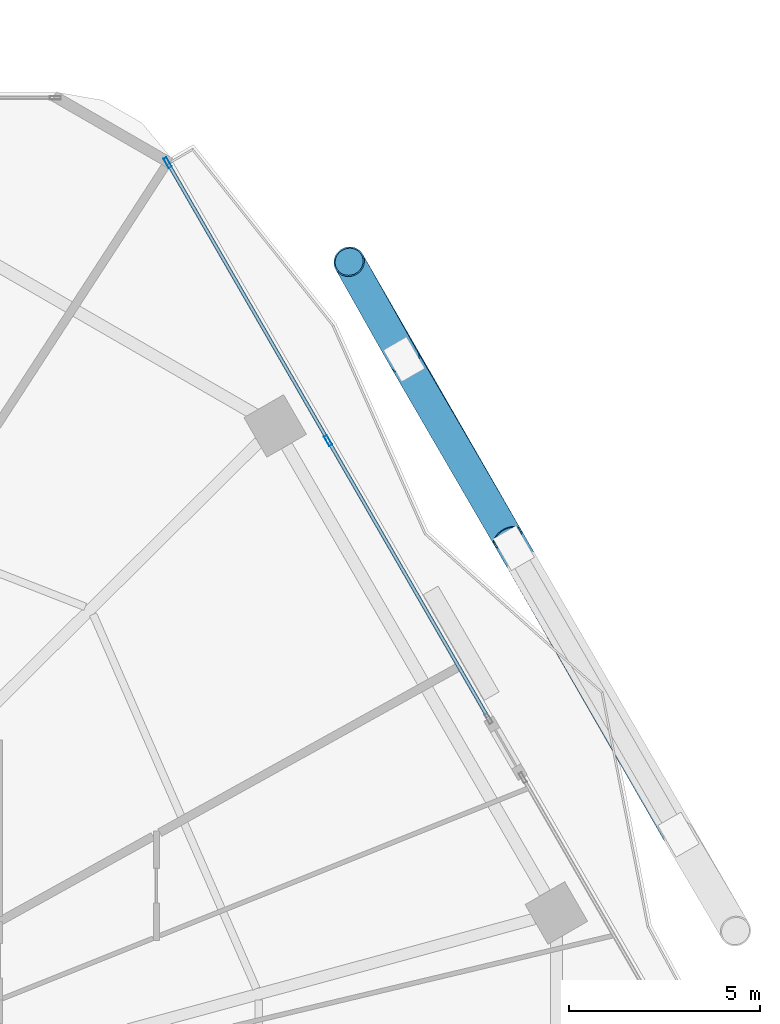
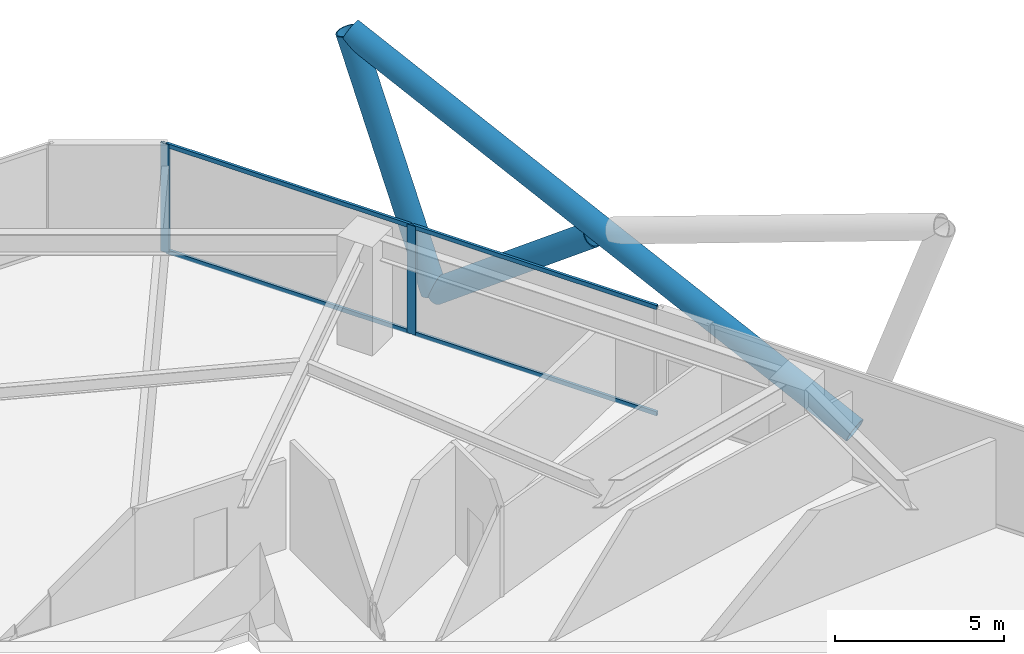
# One storey, part 22 of 30: 9 members, 1 element without a shape of its own.
"""IFC4 building model written with IfcOpenShell, lengths in metres."""

import ifcopenshell
import ifcopenshell.guid

model = None  # the IFC model being written
_history = None  # IfcOwnerHistory: only IFC2X3 demands one
_inside = {}  # id of a spatial element -> (the spatial element, [elements in it])
_under = {}  # id of a project, library or spatial element -> (it, [spatial elements below it])
_declared = {}  # id of a project -> (the project, [libraries it declares])
_typed = {}  # id of a type object -> (the type object, [elements of that type])
_made_of = {}  # id of a material, layer set ... -> (it, [elements and type objects made of it])


def new_model(schema):
    """Start an empty IFC model of exactly this schema.

    Asked for "IFC4X3", IfcOpenShell would pick the latest addendum, in which some entities
    have other attributes; the version numbers below select the first issue.
    IFC2X3 requires an IfcOwnerHistory on every rooted entity: one is made here for all.
    """
    global model, _history
    if schema == "IFC4X3":
        model = ifcopenshell.file(schema_version=(4, 3, 0, 0))
    else:
        model = ifcopenshell.file(schema=schema)
    _inside.clear()
    _under.clear()
    _declared.clear()
    _typed.clear()
    _made_of.clear()
    _history = None
    if model.schema == "IFC2X3":
        org = make("IfcOrganization", Name="unknown")
        user = make(
            "IfcPersonAndOrganization",
            ThePerson=make("IfcPerson", FamilyName="unknown"),
            TheOrganization=org,
        )
        app = make(
            "IfcApplication",
            ApplicationDeveloper=org,
            Version="unknown",
            ApplicationFullName="unknown",
            ApplicationIdentifier="unknown",
        )
        _history = make(
            "IfcOwnerHistory",
            OwningUser=user,
            OwningApplication=app,
            ChangeAction="ADDED",
            CreationDate=0,
        )
    return model


def make(cls, **values):
    """One entity of the class cls with the attributes given. An attribute that is None is left unset."""
    return model.create_entity(
        cls, **{name: value for name, value in values.items() if value is not None}
    )


def rooted(cls, **values):
    """An entity with a GlobalId (a new one), such as an element, a storey or a relation."""
    return make(cls, GlobalId=ifcopenshell.guid.new(), OwnerHistory=_history, **values)


def si_unit(unit_type, name, prefix=None):
    """IfcSIUnit, for example si_unit("LENGTHUNIT", "METRE", prefix="MILLI")."""
    return make("IfcSIUnit", UnitType=unit_type, Prefix=prefix, Name=name)


def assignment(units):
    """IfcUnitAssignment: the units of a project."""
    return None if units is None else make("IfcUnitAssignment", Units=units)


def point(xyz):
    """IfcCartesianPoint."""
    return None if xyz is None else make("IfcCartesianPoint", Coordinates=xyz)


def direction(xyz):
    """IfcDirection."""
    return None if xyz is None else make("IfcDirection", DirectionRatios=xyz)


def frame(location, z_axis=None, x_axis=None):
    """IfcAxis2Placement3D, a coordinate frame: its origin and axes. An axis left out is left unset."""
    return make(
        "IfcAxis2Placement3D",
        Location=point(location),
        Axis=direction(z_axis),
        RefDirection=direction(x_axis),
    )


def frame_2d(location, x_axis=None):
    """IfcAxis2Placement2D, a coordinate frame in the plane: its origin and x axis."""
    return make(
        "IfcAxis2Placement2D", Location=point(location), RefDirection=direction(x_axis)
    )


def origin():
    """The frame at (0, 0, 0) with its axes left unset."""
    return frame((0.0, 0.0, 0.0))


def origin_2d():
    """The frame at (0, 0) in the plane with its x axis left unset."""
    return frame_2d((0.0, 0.0))


def place(relative_to, where):
    """IfcLocalPlacement: puts the frame where relative to a parent placement (None: the world)."""
    return make(
        "IfcLocalPlacement", PlacementRelTo=relative_to, RelativePlacement=where
    )


def context(
    kind, dimensions, precision=None, world=None, true_north=None, identifier=None
):
    """IfcGeometricRepresentationContext, for example the 3D "Model" context."""
    return make(
        "IfcGeometricRepresentationContext",
        ContextIdentifier=identifier,
        ContextType=kind,
        CoordinateSpaceDimension=dimensions,
        Precision=precision,
        WorldCoordinateSystem=world,
        TrueNorth=true_north,
    )


def subcontext(parent, identifier, kind, view, scale=None):
    """IfcGeometricRepresentationSubContext, for example "Body" below "Model"."""
    return make(
        "IfcGeometricRepresentationSubContext",
        ContextIdentifier=identifier,
        ContextType=kind,
        ParentContext=parent,
        TargetScale=scale,
        TargetView=view,
    )


def project(units=None, contexts=None):
    """IfcProject with its units and contexts."""
    return rooted(
        "IfcProject",
        Name="project",
        RepresentationContexts=contexts,
        UnitsInContext=assignment(units),
    )


def spatial(cls, under=None, at=None, **own):
    """A site, building, storey or space (cls), placed at a placement, below another one or the project."""
    s = rooted(cls, ObjectPlacement=at, **own)
    if under is not None:
        _under.setdefault(under.id(), (under, []))[1].append(s)
    return s


def profile(cls, at=None, kind="AREA", **sizes):
    """A parametric profile (cls). Its sizes go by their IFC names, for example OverallWidth=200.0."""
    return make(cls, ProfileType=kind, Position=at, **sizes)


def hollow_rectangle(**sizes):
    """IfcRectangleHollowProfileDef."""
    return profile("IfcRectangleHollowProfileDef", **sizes)


def hollow_circle(**sizes):
    """IfcCircleHollowProfileDef."""
    return profile("IfcCircleHollowProfileDef", **sizes)


def extrude(swept, where, along, depth):
    """IfcExtrudedAreaSolid: the profile swept, set in the frame where, extruded along a direction by depth."""
    return make(
        "IfcExtrudedAreaSolid",
        SweptArea=swept,
        Position=where,
        ExtrudedDirection=direction(along),
        Depth=depth,
    )


def shape(context_of_items, identifier, shape_type, items):
    """IfcShapeRepresentation: the items that make up one representation, for example the "Body"."""
    return make(
        "IfcShapeRepresentation",
        ContextOfItems=context_of_items,
        RepresentationIdentifier=identifier,
        RepresentationType=shape_type,
        Items=items,
    )


def material(Name=None, Category=None):
    """IfcMaterial."""
    return make("IfcMaterial", Name=Name, Category=Category)


def material_profile(
    of_material, cross_section, Name=None, Category=None, Priority=None
):
    """IfcMaterialProfile: a cross section and its material."""
    return make(
        "IfcMaterialProfile",
        Name=Name,
        Material=of_material,
        Profile=cross_section,
        Priority=Priority,
        Category=Category,
    )


def profile_set(profiles, Name=None, composite=None):
    """IfcMaterialProfileSet."""
    return make(
        "IfcMaterialProfileSet",
        Name=Name,
        MaterialProfiles=profiles,
        CompositeProfile=composite,
    )


def made_of(thing, what):
    """Note that an element or type object is made of a material, layer set ...; save() writes the relation."""
    if what is not None:
        _made_of.setdefault(what.id(), (what, []))[1].append(thing)
    return thing


def type_object(cls, material=None, **own):
    """A type object (cls), such as IfcWallType, which elements share."""
    return made_of(rooted(cls, **own), material)


def element(
    cls,
    number,
    at=None,
    inside=None,
    cuts=None,
    type_object=None,
    material=None,
    context=None,
    identifier="Body",
    shape_type=None,
    held_by="IfcProductDefinitionShape",
    body=None,
    shapes=None,
    **own,
):
    """One element of the class cls, such as IfcWall. Its Tag is "e" and its number.

    at: its placement. inside: the storey or other place that contains it. cuts: it is an
    opening in that element (IfcRelVoidsElement). A single representation is given by context,
    identifier, shape_type and body (its items); several are given by shapes. held_by: the class
    of the entity that holds the representations. save() writes the other relations.
    """
    e = rooted(cls, Tag="e%d" % number, ObjectPlacement=at, **own)
    if body is not None:
        shapes = [shape(context, identifier, shape_type, body)]
    if shapes is not None:
        e.Representation = make(held_by, Representations=shapes)
    if inside is not None:
        _inside.setdefault(inside.id(), (inside, []))[1].append(e)
    if cuts is not None:
        rooted(
            "IfcRelVoidsElement", RelatingBuildingElement=cuts, RelatedOpeningElement=e
        )
    if type_object is not None:
        _typed.setdefault(type_object.id(), (type_object, []))[1].append(e)
    return made_of(e, material)


def aggregate(whole, parts):
    """IfcRelAggregates: a whole, such as a stair, and the parts it consists of."""
    return rooted("IfcRelAggregates", RelatingObject=whole, RelatedObjects=parts)


def save(model, path):
    """Write the relations noted so far, then the file.

    IfcRelAggregates (storeys below a building ...), IfcRelContainedInSpatialStructure (elements
    in a storey), IfcRelDefinesByType, IfcRelAssociatesMaterial and IfcRelDeclares: one each for
    every whole, place, type object, material and project.
    """
    for whole, parts in _under.values():
        aggregate(whole, parts)
    for where, things in _inside.values():
        rooted(
            "IfcRelContainedInSpatialStructure",
            RelatedElements=things,
            RelatingStructure=where,
        )
    for kind, things in _typed.values():
        rooted("IfcRelDefinesByType", RelatedObjects=things, RelatingType=kind)
    for what, things in _made_of.values():
        rooted("IfcRelAssociatesMaterial", RelatedObjects=things, RelatingMaterial=what)
    for by, libraries in _declared.values():
        rooted("IfcRelDeclares", RelatingContext=by, RelatedDefinitions=libraries)
    model.write(path)


model = new_model("IFC4")

# Units and contexts
model_context = context("Model", 3, precision=1e-05, world=origin(), true_north=direction((0.0, 1.0)))
body_context = subcontext(model_context, "Body", "Model", "MODEL_VIEW")
ifc_project = project(units=[si_unit("LENGTHUNIT", "METRE"), si_unit("AREAUNIT", "SQUARE_METRE"), si_unit("VOLUMEUNIT", "CUBIC_METRE"), si_unit("PLANEANGLEUNIT", "RADIAN"), si_unit("MASSUNIT", "GRAM", prefix="KILO")], contexts=[model_context])

# Site, building, storey
site_placement = place(None, origin())
site = spatial("IfcSite", under=ifc_project, at=site_placement, CompositionType="ELEMENT")
building_placement = place(site_placement, origin())
building = spatial("IfcBuilding", under=site, at=building_placement, Name="Zuhravey Tower", CompositionType="ELEMENT")
storey_placement = place(building_placement, frame((0.0, 0.0, 16.199951171875)))
storey = spatial("IfcBuildingStorey", under=building, at=storey_placement, Name="L04", CompositionType="ELEMENT", Elevation=16.199951171875)

# Curtain wall, members
ifc_material_1 = material(Name="Thermally broken anodised aluminium", Category="aluminium")
curtain_wall_type = type_object("IfcCurtainWallType", Name="School Low-E Unitised Curtain Wall CW1", PredefinedType="NOTDEFINED", material=ifc_material_1)
curtain_wall_placement = place(storey_placement, origin())
curtain_wall = element("IfcCurtainWall", 1, at=curtain_wall_placement, inside=storey, type_object=curtain_wall_type, Name="L04 CW1 CW-L04-F1-1", PredefinedType="NOTDEFINED")
ifc_material_2 = material(Name="Anodised aluminium", Category="aluminium")
ifc_material_profile_1 = material_profile(ifc_material_2, hollow_rectangle(XDim=0.090087890625, YDim=0.284912109375, WallThickness=0.0048828125, at=origin_2d()), Name="ALU-RHS-90x285x5")
ifc_profile_set_1 = profile_set([ifc_material_profile_1], Name="Anodised aluminium")
member_type_1 = type_object("IfcMemberType", Name="Curtain-Wall Mullion 90x180", PredefinedType="MULLION", material=ifc_profile_set_1)
member_1_placement = place(storey_placement, frame((53.701416015625, 59.257080078125, 0.0), z_axis=(0.0, 0.0, 1.0), x_axis=(0.866025508574, 0.499999818499, 0.0)))
member_1 = element("IfcMember", 2, at=member_1_placement, type_object=member_type_1, Name="CW1 mullion 1", PredefinedType="MULLION", context=body_context, shape_type="SweptSolid", body=[
    extrude(hollow_rectangle(XDim=0.090087890625, YDim=0.284912109375, WallThickness=0.0048828125, at=origin_2d()), origin(), (0.0, 0.0, 1.0), 3.920166015625),
])
member_2_placement = place(storey_placement, frame((57.90771484375, 51.971435546875, 0.0), z_axis=(0.0, 0.0, 1.0), x_axis=(0.866025508574, 0.499999818499, 0.0)))
member_2 = element("IfcMember", 3, at=member_2_placement, type_object=member_type_1, Name="CW1 mullion 2", PredefinedType="MULLION", context=body_context, shape_type="SweptSolid", body=[
    extrude(hollow_rectangle(XDim=0.090087890625, YDim=0.284912109375, WallThickness=0.0048828125, at=origin_2d()), origin(), (0.0, 0.0, 1.0), 3.920166015625),
])
ifc_material_profile_2 = material_profile(ifc_material_2, hollow_rectangle(XDim=0.090087890625, YDim=0.14990234375, WallThickness=0.0048828125, at=origin_2d()), Name="ALU-RHS-90x150x5")
ifc_profile_set_2 = profile_set([ifc_material_profile_2], Name="Anodised aluminium")
member_type_2 = type_object("IfcMemberType", Name="Curtain-Wall Transom 90x150", PredefinedType="USERDEFINED", material=ifc_profile_set_2)
member_3_placement = place(storey_placement, frame((53.72412109375, 59.218017578125, 0.045166015625), z_axis=(0.499988236992, -0.866032195053, 0.0), x_axis=(0.866032195053, 0.499988236992, 0.0)))
member_3 = element("IfcMember", 4, at=member_3_placement, type_object=member_type_2, Name="CW1 transom 1.1", ObjectType="TRANSOM", PredefinedType="USERDEFINED", context=body_context, shape_type="SweptSolid", body=[
    extrude(hollow_rectangle(XDim=0.090087890625, YDim=0.14990234375, WallThickness=0.0048828125, at=origin_2d()), origin(), (0.0, 0.0, 1.0), 8.322509765625),
])
member_4_placement = place(storey_placement, frame((53.72412109375, 59.218017578125, 3.875), z_axis=(0.499988236992, -0.866032195053, 0.0), x_axis=(0.866032195053, 0.499988236992, 0.0)))
member_4 = element("IfcMember", 5, at=member_4_placement, type_object=member_type_2, Name="CW1 transom 1.2", ObjectType="TRANSOM", PredefinedType="USERDEFINED", context=body_context, shape_type="SweptSolid", body=[
    extrude(hollow_rectangle(XDim=0.090087890625, YDim=0.14990234375, WallThickness=0.0048828125, at=origin_2d()), origin(), (0.0, 0.0, 1.0), 8.322509765625),
])
member_5_placement = place(storey_placement, frame((57.930419921875, 51.9326171875, 0.045166015625), z_axis=(0.49997553497, -0.866039528216, 0.0), x_axis=(0.866039528216, 0.49997553497, 0.0)))
member_5 = element("IfcMember", 6, at=member_5_placement, type_object=member_type_2, Name="CW1 transom 2.1", ObjectType="TRANSOM", PredefinedType="USERDEFINED", context=body_context, shape_type="SweptSolid", body=[
    extrude(hollow_rectangle(XDim=0.090087890625, YDim=0.14990234375, WallThickness=0.0048828125, at=origin_2d()), origin(), (0.0, 0.0, 1.0), 8.32275390625),
])
member_6_placement = place(storey_placement, frame((57.930419921875, 51.9326171875, 3.875), z_axis=(0.49997553497, -0.866039528216, 0.0), x_axis=(0.866039528216, 0.49997553497, 0.0)))
member_6 = element("IfcMember", 7, at=member_6_placement, type_object=member_type_2, Name="CW1 transom 2.2", ObjectType="TRANSOM", PredefinedType="USERDEFINED", context=body_context, shape_type="SweptSolid", body=[
    extrude(hollow_rectangle(XDim=0.090087890625, YDim=0.14990234375, WallThickness=0.0048828125, at=origin_2d()), origin(), (0.0, 0.0, 1.0), 8.32275390625),
])
aggregate(curtain_wall, [member_1, member_2, member_3, member_4, member_5, member_6])

# Members
ifc_material_3 = material(Name="Steel SM460", Category="steel")
ifc_material_profile_3 = material_profile(ifc_material_3, hollow_circle(Radius=0.406494140625, WallThickness=0.035888671875, at=origin_2d()), Name="CHS-812.8x36")
ifc_profile_set_3 = profile_set([ifc_material_profile_3], Name="Steel SM460")
member_type_3 = type_object("IfcMemberType", Name="Exoskeleton Zone 1 Diagrid CHS813x36", PredefinedType="BRACE", material=ifc_profile_set_3)
member_7_placement = place(storey_placement, frame((67.0693359375, 41.68359375, -0.471923828125), z_axis=(-0.448582173106, 0.780090273761, 0.436157309642), x_axis=(-0.866891768768, -0.498496400431, 0.0)))
element("IfcMember", 8, at=member_7_placement, inside=storey, type_object=member_type_3, Name="L04 Face 1 Diagrid Brace 2", PredefinedType="BRACE", context=body_context, shape_type="SweptSolid", body=[
    extrude(hollow_circle(Radius=0.406494140625, WallThickness=0.035888671875, at=origin_2d()), origin(), (0.0, 0.0, 1.0), 19.158203125),
])
member_8_placement = place(storey_placement, frame((59.894287109375, 54.111083984375, -0.471923828125), z_axis=(-0.16241062079, 0.288037579757, 0.943746333981), x_axis=(-0.871071780124, -0.49115573281, 0.0)))
element("IfcMember", 9, at=member_8_placement, inside=storey, type_object=member_type_3, Name="L04 Face 1 Diagrid Brace 4", PredefinedType="BRACE", context=body_context, shape_type="SweptSolid", body=[
    extrude(hollow_circle(Radius=0.406494140625, WallThickness=0.035888671875, at=origin_2d()), origin(), (0.0, 0.0, 1.0), 8.85400390625),
])
member_9_placement = place(storey_placement, frame((59.91845703125, 54.069091796875, -0.464111328125), z_axis=(0.404907427241, -0.697089742611, 0.591705894944), x_axis=(0.864710485255, 0.50227062097, 0.0)))
element("IfcMember", 10, at=member_9_placement, inside=storey, type_object=member_type_3, Name="L04 Face 1 Split Diagrid Brace 3A", PredefinedType="BRACE", context=body_context, shape_type="SweptSolid", body=[
    extrude(hollow_circle(Radius=0.406494140625, WallThickness=0.035888671875, at=origin_2d()), origin(), (0.0, 0.0, 1.0), 6.651123046875),
])

save(model, "model.ifc")
